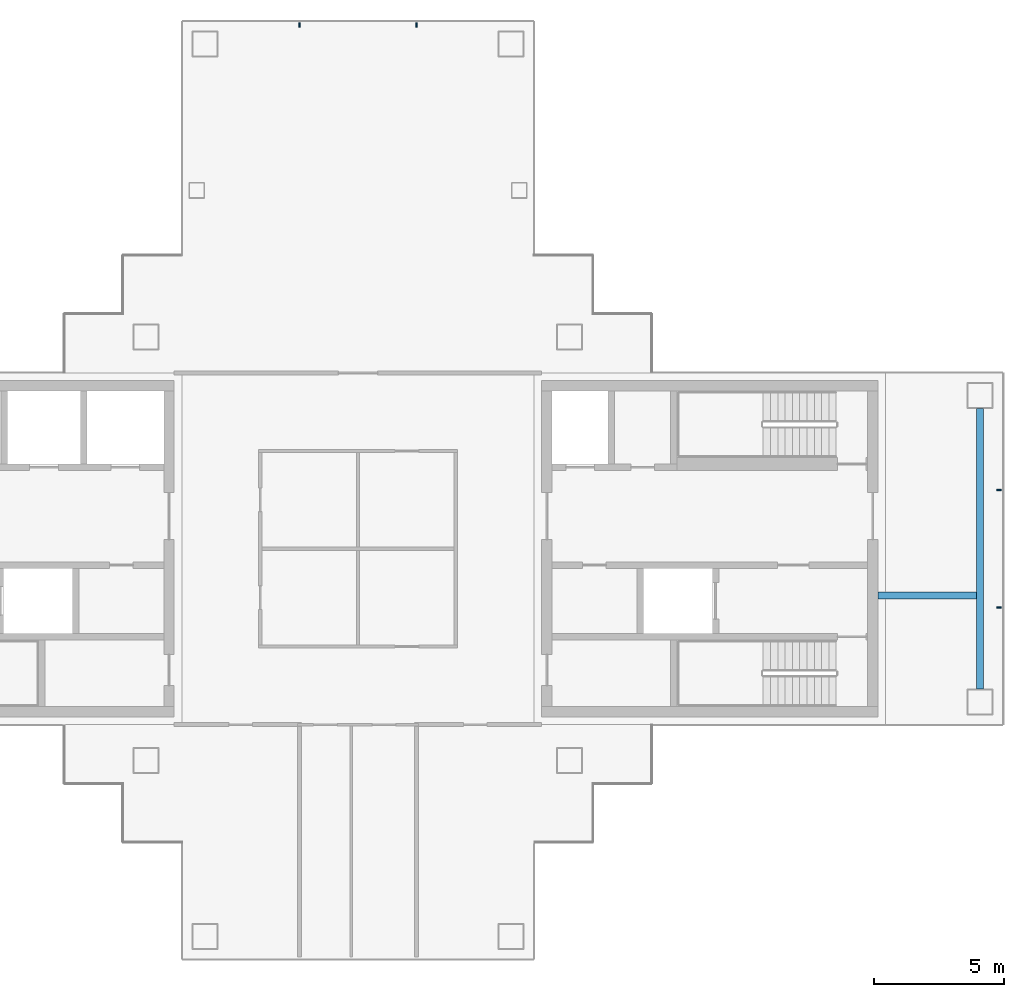
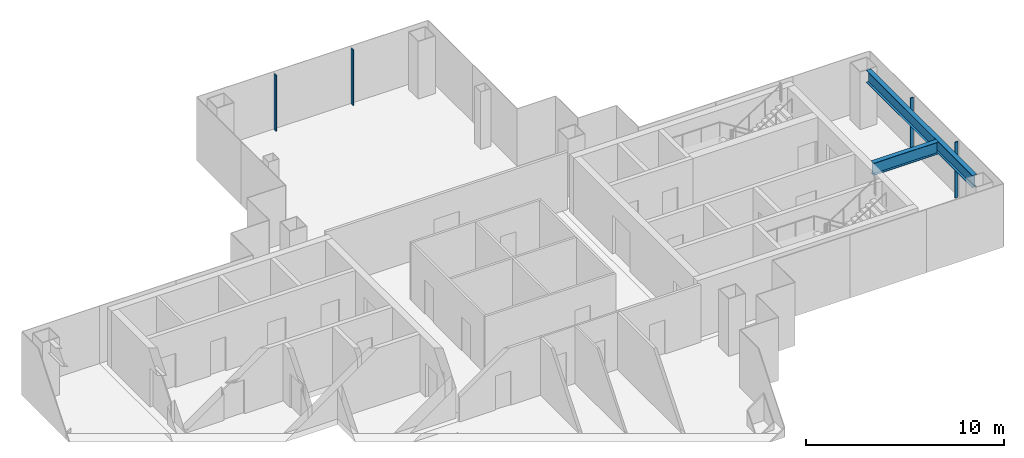
# One storey, part 5 of 15: 4 members, 2 beams, 2 elements without a shape of their own.
"""IFC4 building model written with IfcOpenShell, lengths in metres."""

from ifc_helpers import new_model, si_unit, direction, frame, origin, origin_2d, place, context, subcontext, project, spatial, rectangle, i_section, extrude, material, layer, layer_set, material_profile, profile_set, type_object, element, aggregate, save


model = new_model("IFC4")

# Units and contexts
model_context = context("Model", 3, precision=1e-05, world=origin(), true_north=direction((0.0, 1.0)))
body_context = subcontext(model_context, "Body", "Model", "MODEL_VIEW")
ifc_project = project(units=[si_unit("LENGTHUNIT", "METRE"), si_unit("AREAUNIT", "SQUARE_METRE"), si_unit("VOLUMEUNIT", "CUBIC_METRE"), si_unit("PLANEANGLEUNIT", "RADIAN"), si_unit("MASSUNIT", "GRAM", prefix="KILO")], contexts=[model_context])

# Site, building, storey
site_placement = place(None, origin())
site = spatial("IfcSite", under=ifc_project, at=site_placement, CompositionType="ELEMENT")
building_placement = place(site_placement, origin())
building = spatial("IfcBuilding", under=site, at=building_placement, Name="Shamsa Quay Exchange Towers", CompositionType="ELEMENT")
storey_placement = place(building_placement, frame((0.0, 0.0, 206.10009765625)))
storey = spatial("IfcBuildingStorey", under=building, at=storey_placement, Name="L49", CompositionType="ELEMENT", Elevation=206.10009765625)

# Curtain wall, members
ifc_material_1 = material(Name="Aluminium EN AW-6063 T6, black anodised", Category="aluminium")
ifc_layer = layer(ifc_material_1, 0.280029296875)
ifc_layer_set = layer_set([ifc_layer], Name="CW-1 UNITISED VISION GLASS")
curtain_wall_type = type_object("IfcCurtainWallType", Name="CW-1 UNITISED VISION GLASS", PredefinedType="NOTDEFINED", material=ifc_layer_set)
curtain_wall_1_placement = place(storey_placement, origin())
curtain_wall_1 = element("IfcCurtainWall", 1, at=curtain_wall_1_placement, inside=storey, type_object=curtain_wall_type, Name="CW1 T2-END-V- L49", PredefinedType="NOTDEFINED")
ifc_material_profile_1 = material_profile(ifc_material_1, rectangle(XDim=0.179931640625, YDim=0.06005859375, at=origin_2d()), Name="MU60x180")
ifc_profile_set_1 = profile_set([ifc_material_profile_1], Name="Aluminium EN AW-6063 T6, black anodised")
member_type = type_object("IfcMemberType", Name="CW1 MULLION 60x180", PredefinedType="MULLION", material=ifc_profile_set_1)
member_1_placement = place(storey_placement, frame((58.35009765625, -2.25, 0.0), z_axis=(0.0, 0.0, 1.0), x_axis=(-1.0, 0.0, 0.0)))
member_1 = element("IfcMember", 2, at=member_1_placement, type_object=member_type, Name="CW1 mullion", PredefinedType="MULLION", context=body_context, shape_type="SweptSolid", body=[
    extrude(rectangle(XDim=0.179931640625, YDim=0.06005859375, at=origin_2d()), origin(), (0.0, 0.0, 1.0), 3.449951171875),
])
member_2_placement = place(storey_placement, frame((58.35009765625, 2.25, 0.0), z_axis=(0.0, 0.0, 1.0), x_axis=(-1.0, 0.0, 0.0)))
member_2 = element("IfcMember", 3, at=member_2_placement, type_object=member_type, Name="CW1 mullion", PredefinedType="MULLION", context=body_context, shape_type="SweptSolid", body=[
    extrude(rectangle(XDim=0.179931640625, YDim=0.06005859375, at=origin_2d()), origin(), (0.0, 0.0, 1.0), 3.449951171875),
])
aggregate(curtain_wall_1, [member_1, member_2])

curtain_wall_2_placement = place(storey_placement, origin())
curtain_wall_2 = element("IfcCurtainWall", 4, at=curtain_wall_2_placement, inside=storey, type_object=curtain_wall_type, Name="CW1 T2-END-U+ L49", PredefinedType="NOTDEFINED")
member_3_placement = place(storey_placement, frame((36.0, 20.10009765625, 0.0), z_axis=(0.0, 0.0, 1.0), x_axis=(0.0, -1.0, 0.0)))
member_3 = element("IfcMember", 5, at=member_3_placement, type_object=member_type, Name="CW1 mullion", PredefinedType="MULLION", context=body_context, shape_type="SweptSolid", body=[
    extrude(rectangle(XDim=0.179931640625, YDim=0.06005859375, at=origin_2d()), origin(), (0.0, 0.0, 1.0), 3.449951171875),
])
member_4_placement = place(storey_placement, frame((31.5, 20.10009765625, 0.0), z_axis=(0.0, 0.0, 1.0), x_axis=(0.0, -1.0, 0.0)))
member_4 = element("IfcMember", 6, at=member_4_placement, type_object=member_type, Name="CW1 mullion", PredefinedType="MULLION", context=body_context, shape_type="SweptSolid", body=[
    extrude(rectangle(XDim=0.179931640625, YDim=0.06005859375, at=origin_2d()), origin(), (0.0, 0.0, 1.0), 3.449951171875),
])
aggregate(curtain_wall_2, [member_3, member_4])

# Beams
ifc_material_2 = material(Name="Steel S355", Category="steel")
ifc_material_profile_2 = material_profile(ifc_material_2, i_section(OverallWidth=0.26611328125, OverallDepth=0.7578125, WebThickness=0.013916015625, FlangeThickness=0.019287109375, at=origin_2d()), Name="W30x108")
ifc_profile_set_2 = profile_set([ifc_material_profile_2], Name="Steel S355")
beam_type = type_object("IfcBeamType", Name="End-zone beam W30x108", PredefinedType="BEAM", material=ifc_profile_set_2)
beam_1_placement = place(storey_placement, frame((57.625, -5.375, 3.171142578125), z_axis=(0.0, 1.0, 0.0), x_axis=(-1.0, 0.0, 0.0)))
element("IfcBeam", 7, at=beam_1_placement, inside=storey, type_object=beam_type, Name="End beam T2 V- end zone L49", PredefinedType="BEAM", context=body_context, shape_type="SweptSolid", body=[
    extrude(i_section(OverallWidth=0.26611328125, OverallDepth=0.7578125, WebThickness=0.013916015625, FlangeThickness=0.019287109375, at=origin_2d()), origin(), (0.0, 0.0, 1.0), 10.75),
])
beam_2_placement = place(storey_placement, frame((53.699951171875, -1.800048828125, 3.171142578125), z_axis=(1.0, 0.0, 0.0), x_axis=(0.0, 1.0, 0.0)))
element("IfcBeam", 8, at=beam_2_placement, inside=storey, type_object=beam_type, Name="Spine beam T2 V- end zone L49", PredefinedType="BEAM", context=body_context, shape_type="SweptSolid", body=[
    extrude(i_section(OverallWidth=0.26611328125, OverallDepth=0.7578125, WebThickness=0.013916015625, FlangeThickness=0.019287109375, at=origin_2d()), origin(), (0.0, 0.0, 1.0), 3.7919921875),
])

save(model, "model.ifc")
